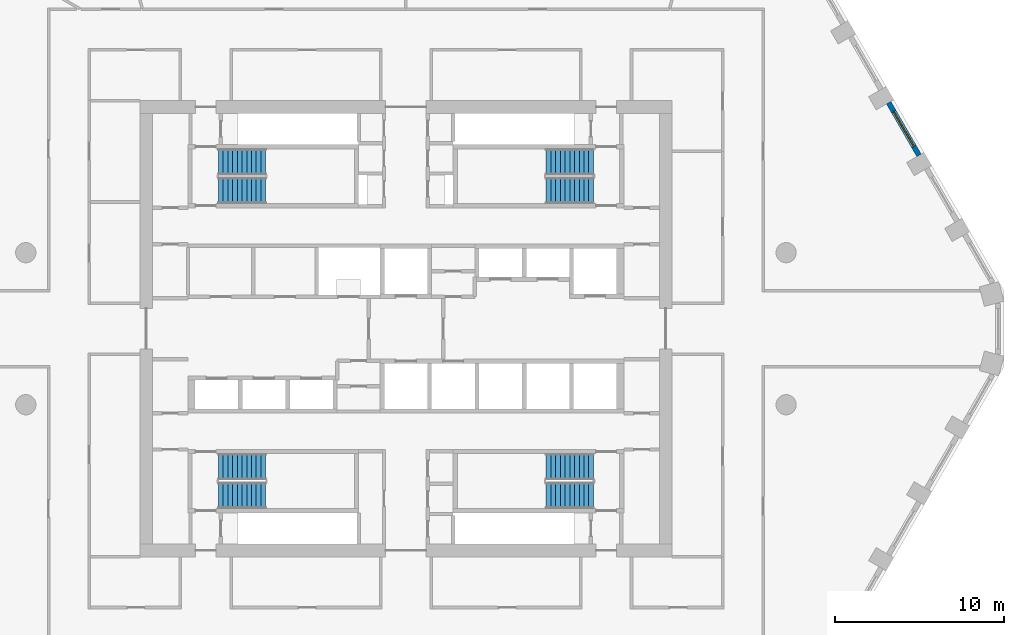
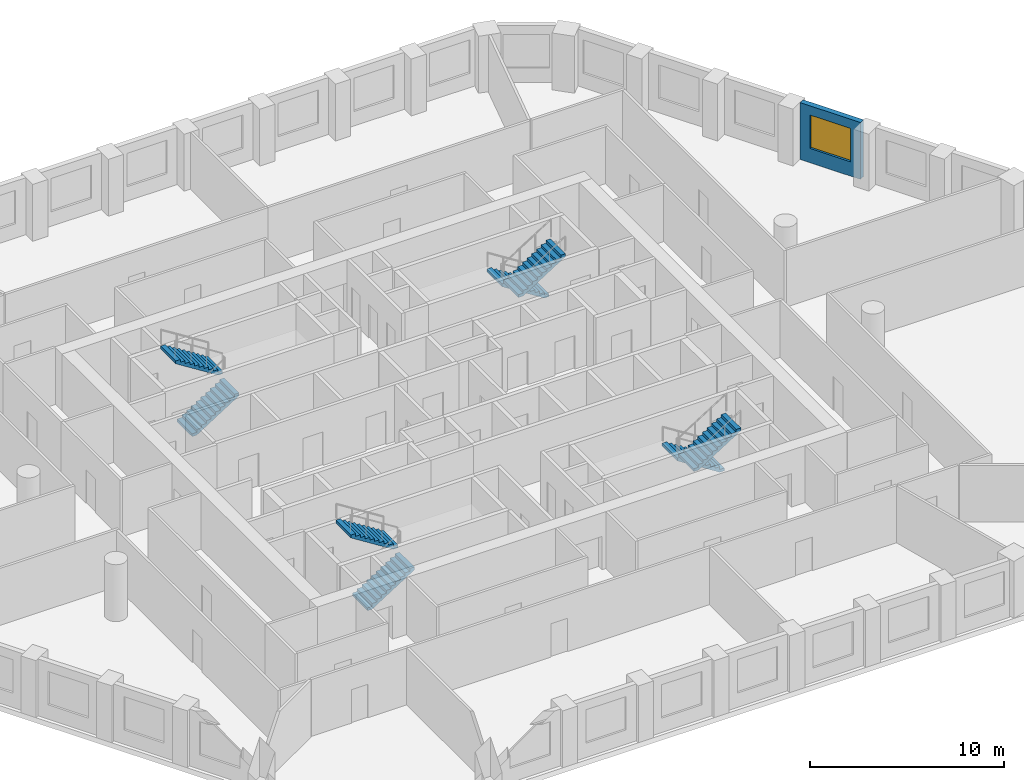
# One storey, part 9 of 10: 8 stair flights, 1 wall, 1 window, 1 opening, 4 elements without a shape of their own.
"""IFC4 building model written with IfcOpenShell, lengths in metres."""

from ifc_helpers import new_model, si_unit, direction, frame, frame_2d, origin, place, context, subcontext, project, spatial, polyline, rectangle, outline, extrude, material, layer, layer_set, type_object, element, fill, aggregate, save


model = new_model("IFC4")

# Units and contexts
model_context = context("Model", 3, precision=1e-05, world=origin(), true_north=direction((0.0, 1.0)))
body_context = subcontext(model_context, "Body", "Model", "MODEL_VIEW")
ifc_project = project(units=[si_unit("LENGTHUNIT", "METRE"), si_unit("AREAUNIT", "SQUARE_METRE"), si_unit("VOLUMEUNIT", "CUBIC_METRE"), si_unit("PLANEANGLEUNIT", "RADIAN"), si_unit("MASSUNIT", "GRAM", prefix="KILO")], contexts=[model_context])

# Site, building, storey
site_placement = place(None, origin())
site = spatial("IfcSite", under=ifc_project, at=site_placement, CompositionType="ELEMENT")
building_placement = place(site_placement, origin())
building = spatial("IfcBuilding", under=site, at=building_placement, Name="Dhurran Vertical Campus", CompositionType="ELEMENT")
storey_placement = place(building_placement, frame((0.0, 0.0, 152.10009765625)))
storey = spatial("IfcBuildingStorey", under=building, at=storey_placement, Name="L37", CompositionType="ELEMENT", Elevation=152.10009765625)

# Wall, opening, window
ifc_material_1 = material(Name="Precast concrete C50/60", Category="concrete")
ifc_layer = layer(ifc_material_1, 0.300048828125)
ifc_layer_set = layer_set([ifc_layer], Name="Precast concrete C50/60")
wall_type = type_object("IfcWallType", Name="Precast spandrel wall 300", PredefinedType="SOLIDWALL", material=ifc_layer_set)
wall_placement = place(storey_placement, frame((30.368896484375, 10.259521484375, 0.0), z_axis=(0.0, 0.0, 1.0), x_axis=(-0.500027802648, 0.866009351323, 0.0)))
wall = element("IfcWall", 1, at=wall_placement, inside=storey, type_object=wall_type, Name="EW1 L37.18", PredefinedType="SOLIDWALL", context=body_context, shape_type="SweptSolid", body=[
    extrude(rectangle(XDim=3.598876953125, YDim=0.300048828125, at=frame_2d((1.79931640625, 0.0))), origin(), (0.0, 0.0, 1.0), 3.574951171875),
])
opening_placement = place(wall_placement, frame((0.599609375, 0.0, 0.89990234375)))
opening = element("IfcOpeningElement", 2, at=opening_placement, cuts=wall, Name="Opening WT1", PredefinedType="OPENING", context=body_context, shape_type="SweptSolid", body=[
    extrude(rectangle(XDim=2.39990234375, YDim=2.10009765625, at=frame_2d((1.199951171875, 1.050048828125))), frame((0.0, 0.159912109375, 0.0), z_axis=(0.0, -1.0, 0.0), x_axis=(1.0, 0.0, 0.0)), (0.0, 0.0, 1.0), 0.320068359375),
])
ifc_material_2 = material(Name="Aluminium frame with solar-control glass", Category="aluminium")
window_type = type_object("IfcWindowType", Name="Punched window 2400 x 2100", PartitioningType="SINGLE_PANEL", PredefinedType="WINDOW", material=ifc_material_2)
window_placement = place(opening_placement, origin())
window = element("IfcWindow", 3, at=window_placement, inside=storey, type_object=window_type, Name="WT1 L37.18", OverallHeight=2.10009765625, OverallWidth=2.39990234375, PartitioningType="SINGLE_PANEL", PredefinedType="WINDOW", context=body_context, shape_type="SweptSolid", body=[
    extrude(rectangle(XDim=2.39990234375, YDim=2.10009765625, at=frame_2d((1.199951171875, 1.050048828125))), frame((0.0, 0.030029296875, 0.0), z_axis=(0.0, -1.0, 0.0), x_axis=(1.0, 0.0, 0.0)), (0.0, 0.0, 1.0), 0.06005859375),
])
fill(opening, window)

# Stair, stair flights
ifc_material_3 = material(Name="Concrete C40/50", Category="concrete")
stair_type = type_object("IfcStairType", Name="co-ST-CORE", PredefinedType="HALF_TURN_STAIR", material=ifc_material_3)
stair_1_placement = place(storey_placement, origin())
stair_1 = element("IfcStair", 4, at=stair_1_placement, inside=storey, type_object=stair_type, Name="L37 Protected exit stair ST1", PredefinedType="HALF_TURN_STAIR")
ifc_material_4 = material(Name="Concrete C40/50", Category="concrete")
stair_flight_type = type_object("IfcStairFlightType", Name="co-SFL-RC", PredefinedType="STRAIGHT", material=ifc_material_4)
stair_flight_1_placement = place(storey_placement, frame((-11.10009765625, 8.175048828125, 0.0), z_axis=(0.0, 0.0, 1.0), x_axis=(1.0, 0.0, 0.0)))
stair_flight_1 = element("IfcStairFlight", 5, at=stair_flight_1_placement, type_object=stair_flight_type, Name="ST1 flight 1", NumberOfRisers=11, NumberOfTreads=10, PredefinedType="STRAIGHT", RiserHeight=0.177272727, TreadLength=0.28, context=body_context, shape_type="SweptSolid", body=[
    extrude(outline(polyline([(0.0, 0.0), (0.0, 0.17724609375), (0.280029296875, 0.17724609375), (0.280029296875, 0.3544921875), (0.56005859375, 0.3544921875), (0.56005859375, 0.53173828125), (0.840087890625, 0.53173828125), (0.840087890625, 0.708984375), (1.1201171875, 0.708984375), (1.1201171875, 0.886474609375), (1.39990234375, 0.886474609375), (1.39990234375, 1.063720703125), (1.679931640625, 1.063720703125), (1.679931640625, 1.240966796875), (1.9599609375, 1.240966796875), (1.9599609375, 1.418212890625), (2.239990234375, 1.418212890625), (2.239990234375, 1.595458984375), (2.52001953125, 1.595458984375), (2.52001953125, 1.772705078125), (2.800048828125, 1.772705078125), (2.800048828125, 1.949951171875), (2.800048828125, 1.59521484375), (0.2802734375, 0.0), (0.0, 0.0)])), frame((0.0, 0.77490234375, 0.0), z_axis=(0.0, -1.0, 0.0), x_axis=(1.0, 0.0, 0.0)), (0.0, 0.0, 1.0), 1.550048828125),
])
stair_flight_2_placement = place(storey_placement, frame((-8.300048828125, 9.875, 1.949951171875), z_axis=(0.0, 0.0, 1.0), x_axis=(-1.0, 0.0, 0.0)))
stair_flight_2 = element("IfcStairFlight", 6, at=stair_flight_2_placement, type_object=stair_flight_type, Name="ST1 flight 2", NumberOfRisers=11, NumberOfTreads=10, PredefinedType="STRAIGHT", RiserHeight=0.177272727, TreadLength=0.28, context=body_context, shape_type="SweptSolid", body=[
    extrude(outline(polyline([(0.0, 0.0), (0.0, 0.17724609375), (0.280029296875, 0.17724609375), (0.280029296875, 0.3544921875), (0.56005859375, 0.3544921875), (0.56005859375, 0.53173828125), (0.840087890625, 0.53173828125), (0.840087890625, 0.708984375), (1.1201171875, 0.708984375), (1.1201171875, 0.886474609375), (1.39990234375, 0.886474609375), (1.39990234375, 1.063720703125), (1.679931640625, 1.063720703125), (1.679931640625, 1.240966796875), (1.9599609375, 1.240966796875), (1.9599609375, 1.418212890625), (2.239990234375, 1.418212890625), (2.239990234375, 1.595458984375), (2.52001953125, 1.595458984375), (2.52001953125, 1.772705078125), (2.800048828125, 1.772705078125), (2.800048828125, 1.949951171875), (2.800048828125, 1.59521484375), (0.2802734375, 0.0), (0.0, 0.0)])), frame((0.0, 0.77490234375, 0.0), z_axis=(0.0, -1.0, 0.0), x_axis=(1.0, 0.0, 0.0)), (0.0, 0.0, 1.0), 1.550048828125),
])
aggregate(stair_1, [stair_flight_1, stair_flight_2])

stair_2_placement = place(storey_placement, origin())
stair_2 = element("IfcStair", 7, at=stair_2_placement, inside=storey, type_object=stair_type, Name="L37 Protected exit stair ST2", PredefinedType="HALF_TURN_STAIR")
stair_flight_3_placement = place(storey_placement, frame((11.10009765625, 9.875, 0.0), z_axis=(0.0, 0.0, 1.0), x_axis=(-1.0, 0.0, 0.0)))
stair_flight_3 = element("IfcStairFlight", 8, at=stair_flight_3_placement, type_object=stair_flight_type, Name="ST2 flight 1", NumberOfRisers=11, NumberOfTreads=10, PredefinedType="STRAIGHT", RiserHeight=0.177272727, TreadLength=0.28, context=body_context, shape_type="SweptSolid", body=[
    extrude(outline(polyline([(0.0, 0.0), (0.0, 0.17724609375), (0.280029296875, 0.17724609375), (0.280029296875, 0.3544921875), (0.56005859375, 0.3544921875), (0.56005859375, 0.53173828125), (0.840087890625, 0.53173828125), (0.840087890625, 0.708984375), (1.1201171875, 0.708984375), (1.1201171875, 0.886474609375), (1.39990234375, 0.886474609375), (1.39990234375, 1.063720703125), (1.679931640625, 1.063720703125), (1.679931640625, 1.240966796875), (1.9599609375, 1.240966796875), (1.9599609375, 1.418212890625), (2.239990234375, 1.418212890625), (2.239990234375, 1.595458984375), (2.52001953125, 1.595458984375), (2.52001953125, 1.772705078125), (2.800048828125, 1.772705078125), (2.800048828125, 1.949951171875), (2.800048828125, 1.59521484375), (0.2802734375, 0.0), (0.0, 0.0)])), frame((0.0, 0.77490234375, 0.0), z_axis=(0.0, -1.0, 0.0), x_axis=(1.0, 0.0, 0.0)), (0.0, 0.0, 1.0), 1.550048828125),
])
stair_flight_4_placement = place(storey_placement, frame((8.300048828125, 8.175048828125, 1.949951171875), z_axis=(0.0, 0.0, 1.0), x_axis=(1.0, 0.0, 0.0)))
stair_flight_4 = element("IfcStairFlight", 9, at=stair_flight_4_placement, type_object=stair_flight_type, Name="ST2 flight 2", NumberOfRisers=11, NumberOfTreads=10, PredefinedType="STRAIGHT", RiserHeight=0.177272727, TreadLength=0.28, context=body_context, shape_type="SweptSolid", body=[
    extrude(outline(polyline([(0.0, 0.0), (0.0, 0.17724609375), (0.280029296875, 0.17724609375), (0.280029296875, 0.3544921875), (0.56005859375, 0.3544921875), (0.56005859375, 0.53173828125), (0.840087890625, 0.53173828125), (0.840087890625, 0.708984375), (1.1201171875, 0.708984375), (1.1201171875, 0.886474609375), (1.39990234375, 0.886474609375), (1.39990234375, 1.063720703125), (1.679931640625, 1.063720703125), (1.679931640625, 1.240966796875), (1.9599609375, 1.240966796875), (1.9599609375, 1.418212890625), (2.239990234375, 1.418212890625), (2.239990234375, 1.595458984375), (2.52001953125, 1.595458984375), (2.52001953125, 1.772705078125), (2.800048828125, 1.772705078125), (2.800048828125, 1.949951171875), (2.800048828125, 1.59521484375), (0.2802734375, 0.0), (0.0, 0.0)])), frame((0.0, 0.77490234375, 0.0), z_axis=(0.0, -1.0, 0.0), x_axis=(1.0, 0.0, 0.0)), (0.0, 0.0, 1.0), 1.550048828125),
])
aggregate(stair_2, [stair_flight_3, stair_flight_4])

stair_3_placement = place(storey_placement, origin())
stair_3 = element("IfcStair", 10, at=stair_3_placement, inside=storey, type_object=stair_type, Name="L37 Protected exit stair ST3", PredefinedType="HALF_TURN_STAIR")
stair_flight_5_placement = place(storey_placement, frame((-11.10009765625, -9.875, 0.0), z_axis=(0.0, 0.0, 1.0), x_axis=(1.0, 0.0, 0.0)))
stair_flight_5 = element("IfcStairFlight", 11, at=stair_flight_5_placement, type_object=stair_flight_type, Name="ST3 flight 1", NumberOfRisers=11, NumberOfTreads=10, PredefinedType="STRAIGHT", RiserHeight=0.177272727, TreadLength=0.28, context=body_context, shape_type="SweptSolid", body=[
    extrude(outline(polyline([(0.0, 0.0), (0.0, 0.17724609375), (0.280029296875, 0.17724609375), (0.280029296875, 0.3544921875), (0.56005859375, 0.3544921875), (0.56005859375, 0.53173828125), (0.840087890625, 0.53173828125), (0.840087890625, 0.708984375), (1.1201171875, 0.708984375), (1.1201171875, 0.886474609375), (1.39990234375, 0.886474609375), (1.39990234375, 1.063720703125), (1.679931640625, 1.063720703125), (1.679931640625, 1.240966796875), (1.9599609375, 1.240966796875), (1.9599609375, 1.418212890625), (2.239990234375, 1.418212890625), (2.239990234375, 1.595458984375), (2.52001953125, 1.595458984375), (2.52001953125, 1.772705078125), (2.800048828125, 1.772705078125), (2.800048828125, 1.949951171875), (2.800048828125, 1.59521484375), (0.2802734375, 0.0), (0.0, 0.0)])), frame((0.0, 0.77490234375, 0.0), z_axis=(0.0, -1.0, 0.0), x_axis=(1.0, 0.0, 0.0)), (0.0, 0.0, 1.0), 1.550048828125),
])
stair_flight_6_placement = place(storey_placement, frame((-8.300048828125, -8.175048828125, 1.949951171875), z_axis=(0.0, 0.0, 1.0), x_axis=(-1.0, 0.0, 0.0)))
stair_flight_6 = element("IfcStairFlight", 12, at=stair_flight_6_placement, type_object=stair_flight_type, Name="ST3 flight 2", NumberOfRisers=11, NumberOfTreads=10, PredefinedType="STRAIGHT", RiserHeight=0.177272727, TreadLength=0.28, context=body_context, shape_type="SweptSolid", body=[
    extrude(outline(polyline([(0.0, 0.0), (0.0, 0.17724609375), (0.280029296875, 0.17724609375), (0.280029296875, 0.3544921875), (0.56005859375, 0.3544921875), (0.56005859375, 0.53173828125), (0.840087890625, 0.53173828125), (0.840087890625, 0.708984375), (1.1201171875, 0.708984375), (1.1201171875, 0.886474609375), (1.39990234375, 0.886474609375), (1.39990234375, 1.063720703125), (1.679931640625, 1.063720703125), (1.679931640625, 1.240966796875), (1.9599609375, 1.240966796875), (1.9599609375, 1.418212890625), (2.239990234375, 1.418212890625), (2.239990234375, 1.595458984375), (2.52001953125, 1.595458984375), (2.52001953125, 1.772705078125), (2.800048828125, 1.772705078125), (2.800048828125, 1.949951171875), (2.800048828125, 1.59521484375), (0.2802734375, 0.0), (0.0, 0.0)])), frame((0.0, 0.77490234375, 0.0), z_axis=(0.0, -1.0, 0.0), x_axis=(1.0, 0.0, 0.0)), (0.0, 0.0, 1.0), 1.550048828125),
])
aggregate(stair_3, [stair_flight_5, stair_flight_6])

stair_4_placement = place(storey_placement, origin())
stair_4 = element("IfcStair", 13, at=stair_4_placement, inside=storey, type_object=stair_type, Name="L37 Protected exit stair ST4", PredefinedType="HALF_TURN_STAIR")
stair_flight_7_placement = place(storey_placement, frame((11.10009765625, -8.175048828125, 0.0), z_axis=(0.0, 0.0, 1.0), x_axis=(-1.0, 0.0, 0.0)))
stair_flight_7 = element("IfcStairFlight", 14, at=stair_flight_7_placement, type_object=stair_flight_type, Name="ST4 flight 1", NumberOfRisers=11, NumberOfTreads=10, PredefinedType="STRAIGHT", RiserHeight=0.177272727, TreadLength=0.28, context=body_context, shape_type="SweptSolid", body=[
    extrude(outline(polyline([(0.0, 0.0), (0.0, 0.17724609375), (0.280029296875, 0.17724609375), (0.280029296875, 0.3544921875), (0.56005859375, 0.3544921875), (0.56005859375, 0.53173828125), (0.840087890625, 0.53173828125), (0.840087890625, 0.708984375), (1.1201171875, 0.708984375), (1.1201171875, 0.886474609375), (1.39990234375, 0.886474609375), (1.39990234375, 1.063720703125), (1.679931640625, 1.063720703125), (1.679931640625, 1.240966796875), (1.9599609375, 1.240966796875), (1.9599609375, 1.418212890625), (2.239990234375, 1.418212890625), (2.239990234375, 1.595458984375), (2.52001953125, 1.595458984375), (2.52001953125, 1.772705078125), (2.800048828125, 1.772705078125), (2.800048828125, 1.949951171875), (2.800048828125, 1.59521484375), (0.2802734375, 0.0), (0.0, 0.0)])), frame((0.0, 0.77490234375, 0.0), z_axis=(0.0, -1.0, 0.0), x_axis=(1.0, 0.0, 0.0)), (0.0, 0.0, 1.0), 1.550048828125),
])
stair_flight_8_placement = place(storey_placement, frame((8.300048828125, -9.875, 1.949951171875), z_axis=(0.0, 0.0, 1.0), x_axis=(1.0, 0.0, 0.0)))
stair_flight_8 = element("IfcStairFlight", 15, at=stair_flight_8_placement, type_object=stair_flight_type, Name="ST4 flight 2", NumberOfRisers=11, NumberOfTreads=10, PredefinedType="STRAIGHT", RiserHeight=0.177272727, TreadLength=0.28, context=body_context, shape_type="SweptSolid", body=[
    extrude(outline(polyline([(0.0, 0.0), (0.0, 0.17724609375), (0.280029296875, 0.17724609375), (0.280029296875, 0.3544921875), (0.56005859375, 0.3544921875), (0.56005859375, 0.53173828125), (0.840087890625, 0.53173828125), (0.840087890625, 0.708984375), (1.1201171875, 0.708984375), (1.1201171875, 0.886474609375), (1.39990234375, 0.886474609375), (1.39990234375, 1.063720703125), (1.679931640625, 1.063720703125), (1.679931640625, 1.240966796875), (1.9599609375, 1.240966796875), (1.9599609375, 1.418212890625), (2.239990234375, 1.418212890625), (2.239990234375, 1.595458984375), (2.52001953125, 1.595458984375), (2.52001953125, 1.772705078125), (2.800048828125, 1.772705078125), (2.800048828125, 1.949951171875), (2.800048828125, 1.59521484375), (0.2802734375, 0.0), (0.0, 0.0)])), frame((0.0, 0.77490234375, 0.0), z_axis=(0.0, -1.0, 0.0), x_axis=(1.0, 0.0, 0.0)), (0.0, 0.0, 1.0), 1.550048828125),
])
aggregate(stair_4, [stair_flight_7, stair_flight_8])

save(model, "model.ifc")
